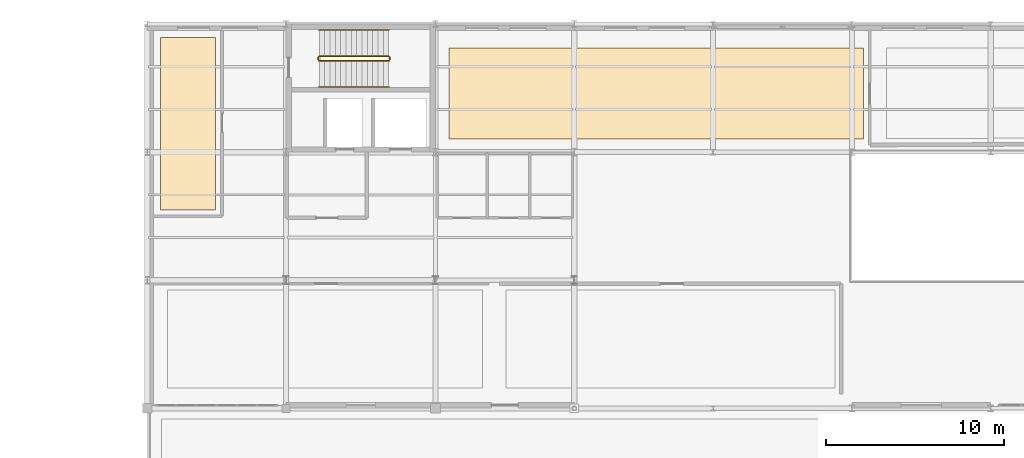
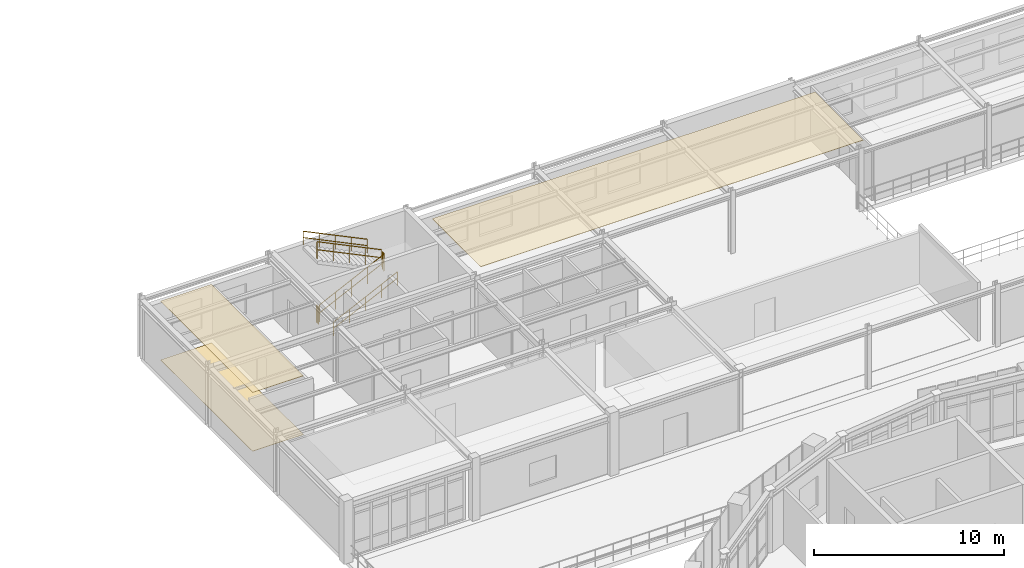
# One storey, part 57 of 58: 6 railings, 3 coverings.
"""IFC4 building model written with IfcOpenShell, lengths in metres."""

from ifc_helpers import new_model, si_unit, derived_unit, direction, frame, origin, origin_2d, place, context, subcontext, project, spatial, polyline, circle, outline, extrude, material, layer, layer_set, type_object, element, save


model = new_model("IFC4")

# Units and contexts
model_context = context("Model", 3, precision=1e-05, world=origin(), true_north=direction((0.0, 1.0)))
body_context = subcontext(model_context, "Body", "Model", "MODEL_VIEW")
ifc_project = project(units=[si_unit("LENGTHUNIT", "METRE"), si_unit("AREAUNIT", "SQUARE_METRE"), si_unit("VOLUMEUNIT", "CUBIC_METRE"), si_unit("PLANEANGLEUNIT", "RADIAN"), si_unit("MASSUNIT", "GRAM", prefix="KILO"), derived_unit("THERMALTRANSMITTANCEUNIT", [(si_unit("POWERUNIT", "WATT"), 1), (si_unit("AREAUNIT", "SQUARE_METRE"), -1), (si_unit("THERMODYNAMICTEMPERATUREUNIT", "KELVIN"), -1)])], contexts=[model_context])

# Site, building, storey
site_placement = place(None, origin())
site = spatial("IfcSite", under=ifc_project, at=site_placement, CompositionType="ELEMENT")
building_placement = place(site_placement, origin())
building = spatial("IfcBuilding", under=site, at=building_placement, Name="Yasenodar Specialist Clinic", CompositionType="ELEMENT")
storey_placement = place(building_placement, frame((0.0, 0.0, 17.25)))
storey = spatial("IfcBuildingStorey", under=building, at=storey_placement, Name="L04", CompositionType="ELEMENT", Elevation=17.25)

# Coverings
ifc_material_1 = material(Name="Hygienic Acoustic Mineral-Fibre Ceiling")
ifc_layer_1 = layer(ifc_material_1, 0.02490234375)
ifc_layer_set_1 = layer_set([ifc_layer_1], Name="Hygienic Acoustic Mineral-Fibre Ceiling")
covering_type_1 = type_object("IfcCoveringType", Name="COV-CEIL-AC", PredefinedType="CEILING", material=ifc_layer_set_1)
covering_1_placement = place(storey_placement, frame((0.0, 0.0, 3.77490234375)))
element("IfcCovering", 1, at=covering_1_placement, inside=storey, type_object=covering_type_1, Name="L04 Translational Pathology Consulting Room Acoustic Ceiling", PredefinedType="CEILING", context=body_context, shape_type="SweptSolid", body=[
    extrude(outline(polyline([(53.050048828125, 101.14990234375), (49.949951171875, 101.14990234375), (49.949951171875, 110.85009765625), (53.050048828125, 110.85009765625), (53.050048828125, 101.14990234375)])), origin(), (0.0, 0.0, 1.0), 0.025146484375),
])
covering_2_placement = place(storey_placement, frame((0.0, 0.0, 3.77490234375)))
element("IfcCovering", 2, at=covering_2_placement, inside=storey, type_object=covering_type_1, Name="L04 Biobank Cryopreservation Suite Acoustic Ceiling", PredefinedType="CEILING", context=body_context, shape_type="SweptSolid", body=[
    extrude(outline(polyline([(89.449951171875, 105.14990234375), (66.14990234375, 105.14990234375), (66.14990234375, 110.25), (89.449951171875, 110.25), (89.449951171875, 105.14990234375)])), origin(), (0.0, 0.0, 1.0), 0.025146484375),
])
ifc_material_2 = material(Name="Seamless Epoxy Terrazzo Clinical Flooring")
ifc_layer_2 = layer(ifc_material_2, 0.02001953125)
ifc_layer_set_2 = layer_set([ifc_layer_2], Name="Seamless Epoxy Terrazzo Clinical Flooring")
covering_type_2 = type_object("IfcCoveringType", Name="COV-FLR-TERR", PredefinedType="FLOORING", material=ifc_layer_set_2)
covering_3_placement = place(storey_placement, origin())
element("IfcCovering", 3, at=covering_3_placement, inside=storey, type_object=covering_type_2, Name="L04 Translational Pathology Consulting Room Terrazzo Flooring", PredefinedType="FLOORING", context=body_context, shape_type="SweptSolid", body=[
    extrude(outline(polyline([(53.050048828125, 101.14990234375), (49.949951171875, 101.14990234375), (49.949951171875, 110.85009765625), (53.050048828125, 110.85009765625), (53.050048828125, 101.14990234375)])), origin(), (0.0, 0.0, 1.0), 0.02001953125),
])

# Railings
ifc_material_3 = material(Name="Steel S355 Painted Stair Guardrail", Category="steel")
railing_type_1 = type_object("IfcRailingType", Name="RL-ST-GRD", PredefinedType="GUARDRAIL", material=ifc_material_3)
railing_1_placement = place(storey_placement, frame((58.8701171875, 109.530029296875, 0.14453125)))
element("IfcRailing", 4, at=railing_1_placement, inside=storey, type_object=railing_type_1, Name="L04 ST-04 stair guard 1", PredefinedType="GUARDRAIL", context=body_context, shape_type="SweptSolid", body=[
    extrude(circle(Radius=0.02392578125, at=origin_2d()), frame((0.0, 0.0, 1.09619140625), z_axis=(0.900763166376, 0.0, 0.434310623978), x_axis=(0.0, 1.0, 0.0)), (0.0, 0.0, 1.0), 4.32958984375),
    extrude(circle(Radius=0.02392578125, at=origin_2d()), frame((0.0, 0.0, 0.58251953125), z_axis=(0.900763166376, 0.0, 0.434310623978), x_axis=(0.0, 1.0, 0.0)), (0.0, 0.0, 1.0), 4.32958984375),
    extrude(circle(Radius=0.02099609375, at=origin_2d()), origin(), (0.0, 0.0, 1.0), 1.072021484375),
    extrude(circle(Radius=0.02099609375, at=origin_2d()), frame((0.97509765625, 0.0, 0.47021484375)), (0.0, 0.0, 1.0), 1.072021484375),
    extrude(circle(Radius=0.02099609375, at=origin_2d()), frame((1.949951171875, 0.0, 0.940185546875)), (0.0, 0.0, 1.0), 1.072021484375),
    extrude(circle(Radius=0.02099609375, at=origin_2d()), frame((2.9248046875, 0.0, 1.41015625)), (0.0, 0.0, 1.0), 1.072021484375),
    extrude(circle(Radius=0.02099609375, at=origin_2d()), frame((3.89990234375, 0.0, 1.88037109375)), (0.0, 0.0, 1.0), 1.072021484375),
])
railing_2_placement = place(storey_placement, frame((62.820068359375, 109.580078125, 2.02490234375)))
element("IfcRailing", 5, at=railing_2_placement, inside=storey, type_object=railing_type_1, Name="L04 ST-04 stair guard 2", PredefinedType="GUARDRAIL", context=body_context, shape_type="SweptSolid", body=[
    extrude(circle(Radius=0.02392578125, at=origin_2d()), frame((0.0, 0.0, 1.09619140625), z_axis=(0.0, 1.0, 0.0), x_axis=(-1.0, 0.0, 0.0)), (0.0, 0.0, 1.0), 0.159912109375),
    extrude(circle(Radius=0.02392578125, at=origin_2d()), frame((0.0, 0.0, 0.58251953125), z_axis=(0.0, 1.0, 0.0), x_axis=(-1.0, 0.0, 0.0)), (0.0, 0.0, 1.0), 0.159912109375),
    extrude(circle(Radius=0.02099609375, at=origin_2d()), origin(), (0.0, 0.0, 1.0), 1.072021484375),
    extrude(circle(Radius=0.02099609375, at=origin_2d()), frame((0.0, 0.159912109375, 0.0)), (0.0, 0.0, 1.0), 1.072021484375),
])
railing_3_placement = place(storey_placement, frame((62.77001953125, 109.7900390625, 2.169677734375)))
element("IfcRailing", 6, at=railing_3_placement, inside=storey, type_object=railing_type_1, Name="L04 ST-04 stair guard 3", PredefinedType="GUARDRAIL", context=body_context, shape_type="SweptSolid", body=[
    extrude(circle(Radius=0.02392578125, at=origin_2d()), frame((0.0, 0.0, 1.09619140625), z_axis=(-0.900763166376, 0.0, 0.434310623978), x_axis=(0.0, -1.0, 0.0)), (0.0, 0.0, 1.0), 4.32958984375),
    extrude(circle(Radius=0.02392578125, at=origin_2d()), frame((0.0, 0.0, 0.58251953125), z_axis=(-0.900763166376, 0.0, 0.434310623978), x_axis=(0.0, -1.0, 0.0)), (0.0, 0.0, 1.0), 4.32958984375),
    extrude(circle(Radius=0.02099609375, at=origin_2d()), origin(), (0.0, 0.0, 1.0), 1.072021484375),
    extrude(circle(Radius=0.02099609375, at=origin_2d()), frame((-0.97509765625, 0.0, 0.47021484375)), (0.0, 0.0, 1.0), 1.072021484375),
    extrude(circle(Radius=0.02099609375, at=origin_2d()), frame((-1.949951171875, 0.0, 0.940185546875)), (0.0, 0.0, 1.0), 1.072021484375),
    extrude(circle(Radius=0.02099609375, at=origin_2d()), frame((-2.9248046875, 0.0, 1.41015625)), (0.0, 0.0, 1.0), 1.072021484375),
    extrude(circle(Radius=0.02099609375, at=origin_2d()), frame((-3.89990234375, 0.0, 1.88037109375)), (0.0, 0.0, 1.0), 1.072021484375),
])
railing_4_placement = place(storey_placement, frame((58.820068359375, 109.580078125, 0.0)))
element("IfcRailing", 7, at=railing_4_placement, inside=storey, type_object=railing_type_1, Name="L04 ST-04 stair guard 4", PredefinedType="GUARDRAIL", context=body_context, shape_type="SweptSolid", body=[
    extrude(circle(Radius=0.02392578125, at=origin_2d()), frame((0.0, 0.0, 1.09619140625), z_axis=(0.0, 1.0, 0.0), x_axis=(-1.0, 0.0, 0.0)), (0.0, 0.0, 1.0), 0.159912109375),
    extrude(circle(Radius=0.02392578125, at=origin_2d()), frame((0.0, 0.0, 0.58251953125), z_axis=(0.0, 1.0, 0.0), x_axis=(-1.0, 0.0, 0.0)), (0.0, 0.0, 1.0), 0.159912109375),
    extrude(circle(Radius=0.02099609375, at=origin_2d()), origin(), (0.0, 0.0, 1.0), 1.072021484375),
    extrude(circle(Radius=0.02099609375, at=origin_2d()), frame((0.0, 0.159912109375, 0.0)), (0.0, 0.0, 1.0), 1.072021484375),
])
ifc_material_4 = material(Name="Brushed Stainless Steel Handrail", Category="steel")
railing_type_2 = type_object("IfcRailingType", Name="RL-ST-HND", PredefinedType="HANDRAIL", material=ifc_material_4)
railing_5_placement = place(storey_placement, frame((58.8701171875, 108.06005859375, 0.14453125)))
element("IfcRailing", 8, at=railing_5_placement, inside=storey, type_object=railing_type_2, Name="L04 ST-04 stair handrail 1", PredefinedType="HANDRAIL", context=body_context, shape_type="SweptSolid", body=[
    extrude(circle(Radius=0.02392578125, at=origin_2d()), frame((0.0, 0.0, 0.8759765625), z_axis=(0.900763166376, 0.0, 0.434310623978), x_axis=(0.0, 1.0, 0.0)), (0.0, 0.0, 1.0), 4.32958984375),
    extrude(circle(Radius=0.02392578125, at=origin_2d()), frame((0.0, 0.0, 0.468017578125), z_axis=(0.900763166376, 0.0, 0.434310623978), x_axis=(0.0, 1.0, 0.0)), (0.0, 0.0, 1.0), 4.32958984375),
    extrude(circle(Radius=0.02099609375, at=origin_2d()), origin(), (0.0, 0.0, 1.0), 0.851806640625),
    extrude(circle(Radius=0.02099609375, at=origin_2d()), frame((0.97509765625, 0.0, 0.47021484375)), (0.0, 0.0, 1.0), 0.851806640625),
    extrude(circle(Radius=0.02099609375, at=origin_2d()), frame((1.949951171875, 0.0, 0.940185546875)), (0.0, 0.0, 1.0), 0.851806640625),
    extrude(circle(Radius=0.02099609375, at=origin_2d()), frame((2.9248046875, 0.0, 1.41015625)), (0.0, 0.0, 1.0), 0.851806640625),
    extrude(circle(Radius=0.02099609375, at=origin_2d()), frame((3.89990234375, 0.0, 1.88037109375)), (0.0, 0.0, 1.0), 0.851806640625),
])
railing_6_placement = place(storey_placement, frame((62.77001953125, 111.260009765625, 2.169677734375)))
element("IfcRailing", 9, at=railing_6_placement, inside=storey, type_object=railing_type_2, Name="L04 ST-04 stair handrail 2", PredefinedType="HANDRAIL", context=body_context, shape_type="SweptSolid", body=[
    extrude(circle(Radius=0.02392578125, at=origin_2d()), frame((0.0, 0.0, 0.8759765625), z_axis=(-0.900763166376, 0.0, 0.434310623978), x_axis=(0.0, -1.0, 0.0)), (0.0, 0.0, 1.0), 4.32958984375),
    extrude(circle(Radius=0.02392578125, at=origin_2d()), frame((0.0, 0.0, 0.468017578125), z_axis=(-0.900763166376, 0.0, 0.434310623978), x_axis=(0.0, -1.0, 0.0)), (0.0, 0.0, 1.0), 4.32958984375),
    extrude(circle(Radius=0.02099609375, at=origin_2d()), origin(), (0.0, 0.0, 1.0), 0.851806640625),
    extrude(circle(Radius=0.02099609375, at=origin_2d()), frame((-0.97509765625, 0.0, 0.47021484375)), (0.0, 0.0, 1.0), 0.851806640625),
    extrude(circle(Radius=0.02099609375, at=origin_2d()), frame((-1.949951171875, 0.0, 0.940185546875)), (0.0, 0.0, 1.0), 0.851806640625),
    extrude(circle(Radius=0.02099609375, at=origin_2d()), frame((-2.9248046875, 0.0, 1.41015625)), (0.0, 0.0, 1.0), 0.851806640625),
    extrude(circle(Radius=0.02099609375, at=origin_2d()), frame((-3.89990234375, 0.0, 1.88037109375)), (0.0, 0.0, 1.0), 0.851806640625),
])

save(model, "model.ifc")
